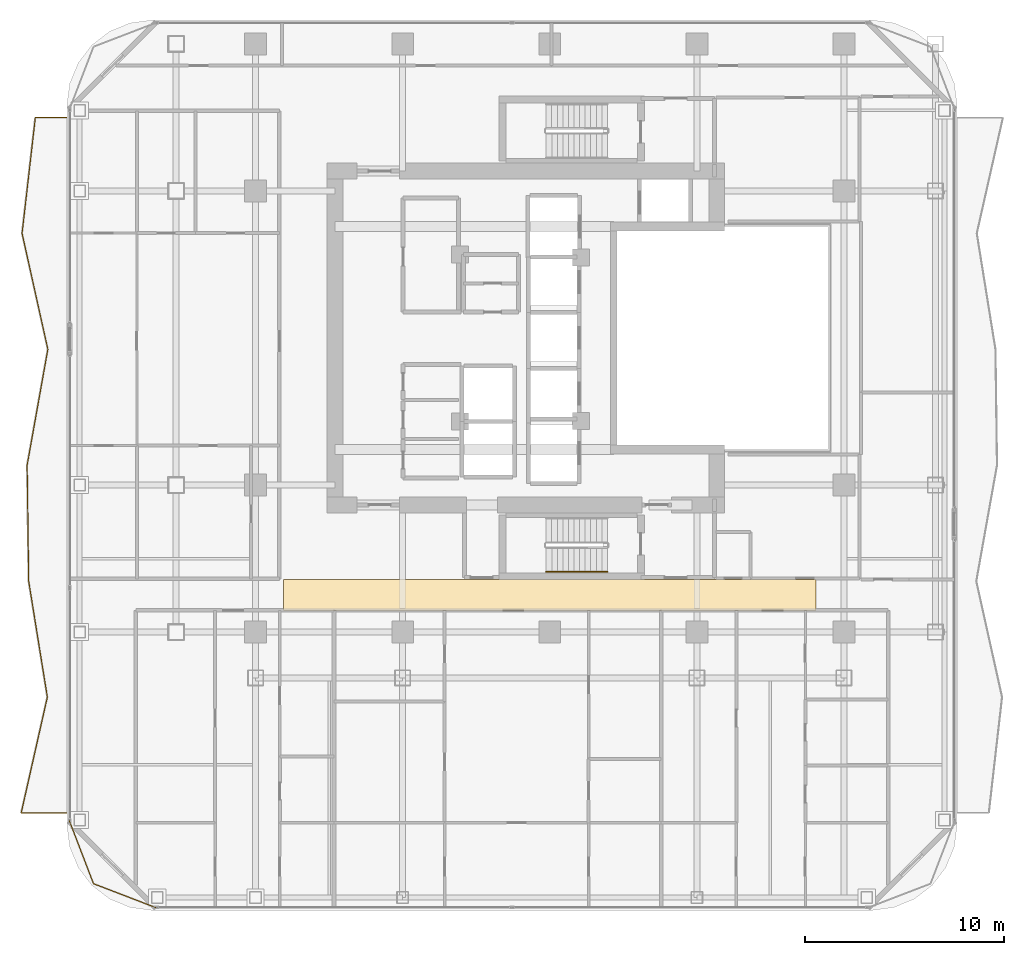
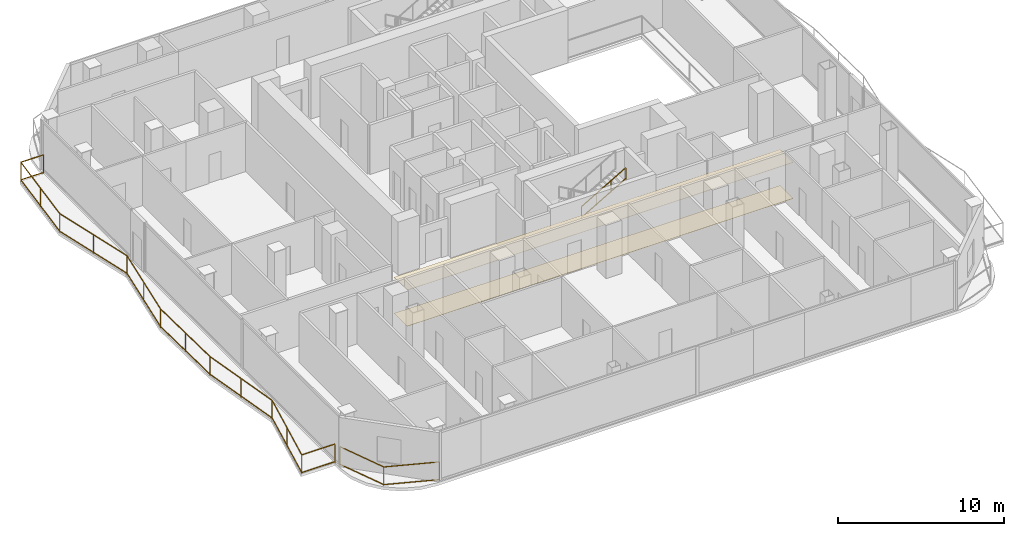
# One storey, part 22 of 24: 3 railings, 2 coverings.
"""IFC4 building model written with IfcOpenShell, lengths in metres."""

from ifc_helpers import new_model, si_unit, direction, frame, origin, origin_2d, place, context, subcontext, project, spatial, polyline, rectangle, outline, extrude, material, layer, layer_set, type_object, element, save


model = new_model("IFC4")

# Units and contexts
model_context = context("Model", 3, precision=1e-05, world=origin(), true_north=direction((0.0, 1.0)))
body_context = subcontext(model_context, "Body", "Model", "MODEL_VIEW")
ifc_project = project(units=[si_unit("LENGTHUNIT", "METRE"), si_unit("AREAUNIT", "SQUARE_METRE"), si_unit("VOLUMEUNIT", "CUBIC_METRE"), si_unit("PLANEANGLEUNIT", "RADIAN"), si_unit("MASSUNIT", "GRAM", prefix="KILO")], contexts=[model_context])

# Site, building, storey
site_placement = place(None, origin())
site = spatial("IfcSite", under=ifc_project, at=site_placement, CompositionType="ELEMENT")
building_placement = place(site_placement, origin())
building = spatial("IfcBuilding", under=site, at=building_placement, Name="Khorvyn Point Tower", CompositionType="ELEMENT")
storey_placement = place(building_placement, frame((0.0, 0.0, 215.699951171875)))
storey = spatial("IfcBuildingStorey", under=building, at=storey_placement, Name="L53", CompositionType="ELEMENT", Elevation=215.699951171875)

# Railings
ifc_material_1 = material(Name="Anodised aluminium 6063-T6 and laminated safety glass", Category="aluminium")
railing_type_1 = type_object("IfcRailingType", Name="Laminated Glass and Aluminium Balcony Guardrail 1400", PredefinedType="BALUSTRADE", material=ifc_material_1)
railing_1_placement = place(storey_placement, frame((-24.17431640625, -24.28125, 0.0)))
element("IfcRailing", 1, at=railing_1_placement, inside=storey, type_object=railing_type_1, Name="L53 Rounded Corner Edge Guardrail SW", PredefinedType="BALUSTRADE", context=body_context, shape_type="SweptSolid", body=[
    extrude(rectangle(XDim=0.048095703125, YDim=0.048095703125, at=origin_2d()), frame((0.0, 0.0, 1.3759765625), z_axis=(0.358343916815, -0.933589651443, 0.0), x_axis=(0.933589651443, 0.358343916815, 0.0)), (0.0, 0.0, 1.0), 3.400390625),
    extrude(rectangle(XDim=0.048095703125, YDim=0.048095703125, at=origin_2d()), frame((0.0, 0.0, 0.080078125), z_axis=(0.358343916815, -0.933589651443, 0.0), x_axis=(0.933589651443, 0.358343916815, 0.0)), (0.0, 0.0, 1.0), 3.400390625),
    extrude(rectangle(XDim=0.048095703125, YDim=0.048095703125, at=origin_2d()), frame((1.218505859375, -3.174560546875, 1.3759765625), z_axis=(0.933589651443, -0.358343916815, 0.0), x_axis=(0.358343916815, 0.933589651443, 0.0)), (0.0, 0.0, 1.0), 3.400390625),
    extrude(rectangle(XDim=0.048095703125, YDim=0.048095703125, at=origin_2d()), frame((1.218505859375, -3.174560546875, 0.080078125), z_axis=(0.933589651443, -0.358343916815, 0.0), x_axis=(0.358343916815, 0.933589651443, 0.0)), (0.0, 0.0, 1.0), 3.400390625),
    extrude(rectangle(XDim=0.0419921875, YDim=0.0419921875, at=origin_2d()), origin(), (0.0, 0.0, 1.0), 1.351806640625),
    extrude(rectangle(XDim=0.0419921875, YDim=0.0419921875, at=origin_2d()), frame((1.218505859375, -3.174560546875, 0.0)), (0.0, 0.0, 1.0), 1.351806640625),
    extrude(rectangle(XDim=0.0419921875, YDim=0.0419921875, at=origin_2d()), frame((4.39306640625, -4.39306640625, 0.0)), (0.0, 0.0, 1.0), 1.351806640625),
])
railing_2_placement = place(storey_placement, frame((-24.300048828125, 11.10009765625, 0.0)))
element("IfcRailing", 2, at=railing_2_placement, inside=storey, type_object=railing_type_1, Name="L53 West Balcony Guardrail", PredefinedType="BALUSTRADE", context=body_context, shape_type="SweptSolid", body=[
    extrude(rectangle(XDim=0.048095703125, YDim=0.048095703125, at=origin_2d()), frame((0.0, 0.0, 1.3759765625), z_axis=(-1.0, 0.0, 0.0), x_axis=(0.0, -1.0, 0.0)), (0.0, 0.0, 1.0), 1.58154296875),
    extrude(rectangle(XDim=0.048095703125, YDim=0.048095703125, at=origin_2d()), frame((0.0, 0.0, 0.080078125), z_axis=(-1.0, 0.0, 0.0), x_axis=(0.0, -1.0, 0.0)), (0.0, 0.0, 1.0), 1.58154296875),
    extrude(rectangle(XDim=0.048095703125, YDim=0.048095703125, at=origin_2d()), frame((-1.58154296875, 0.0, 1.3759765625), z_axis=(-0.11376236123, -0.993507989483, 0.0), x_axis=(0.993507989483, -0.11376236123, 0.0)), (0.0, 0.0, 1.0), 5.87158203125),
    extrude(rectangle(XDim=0.048095703125, YDim=0.048095703125, at=origin_2d()), frame((-1.58154296875, 0.0, 0.080078125), z_axis=(-0.11376236123, -0.993507989483, 0.0), x_axis=(0.993507989483, -0.11376236123, 0.0)), (0.0, 0.0, 1.0), 5.87158203125),
    extrude(rectangle(XDim=0.048095703125, YDim=0.048095703125, at=origin_2d()), frame((-2.24951171875, -5.83349609375, 1.3759765625), z_axis=(0.217064557501, -0.976157250589, 0.0), x_axis=(0.976157250589, 0.217064557501, 0.0)), (0.0, 0.0, 1.0), 5.975830078125),
    extrude(rectangle(XDim=0.048095703125, YDim=0.048095703125, at=origin_2d()), frame((-2.24951171875, -5.83349609375, 0.080078125), z_axis=(0.217064557501, -0.976157250589, 0.0), x_axis=(0.976157250589, 0.217064557501, 0.0)), (0.0, 0.0, 1.0), 5.975830078125),
    extrude(rectangle(XDim=0.048095703125, YDim=0.048095703125, at=origin_2d()), frame((-0.952392578125, -11.666748046875, 1.3759765625), z_axis=(-0.175966029351, -0.984396239588, 0.0), x_axis=(0.984396239588, -0.175966029351, 0.0)), (0.0, 0.0, 1.0), 5.92578125),
    extrude(rectangle(XDim=0.048095703125, YDim=0.048095703125, at=origin_2d()), frame((-0.952392578125, -11.666748046875, 0.080078125), z_axis=(-0.175966029351, -0.984396239588, 0.0), x_axis=(0.984396239588, -0.175966029351, 0.0)), (0.0, 0.0, 1.0), 5.92578125),
    extrude(rectangle(XDim=0.048095703125, YDim=0.048095703125, at=origin_2d()), frame((-1.9951171875, -17.5, 1.3759765625), z_axis=(0.013349442313, -0.999910892225, 0.0), x_axis=(0.999910892225, 0.013349442313, 0.0)), (0.0, 0.0, 1.0), 5.833984375),
    extrude(rectangle(XDim=0.048095703125, YDim=0.048095703125, at=origin_2d()), frame((-1.9951171875, -17.5, 0.080078125), z_axis=(0.013349442313, -0.999910892225, 0.0), x_axis=(0.999910892225, 0.013349442313, 0.0)), (0.0, 0.0, 1.0), 5.833984375),
    extrude(rectangle(XDim=0.048095703125, YDim=0.048095703125, at=origin_2d()), frame((-1.917236328125, -23.33349609375, 1.3759765625), z_axis=(0.159083038663, -0.987265205915, 0.0), x_axis=(0.987265205915, 0.159083038663, 0.0)), (0.0, 0.0, 1.0), 5.908447265625),
    extrude(rectangle(XDim=0.048095703125, YDim=0.048095703125, at=origin_2d()), frame((-1.917236328125, -23.33349609375, 0.080078125), z_axis=(0.159083038663, -0.987265205915, 0.0), x_axis=(0.987265205915, 0.159083038663, 0.0)), (0.0, 0.0, 1.0), 5.908447265625),
    extrude(rectangle(XDim=0.048095703125, YDim=0.048095703125, at=origin_2d()), frame((-0.977294921875, -29.166748046875, 1.3759765625), z_axis=(-0.220253353076, -0.975442699731, 0.0), x_axis=(0.975442699731, -0.220253353076, 0.0)), (0.0, 0.0, 1.0), 5.980224609375),
    extrude(rectangle(XDim=0.048095703125, YDim=0.048095703125, at=origin_2d()), frame((-0.977294921875, -29.166748046875, 0.080078125), z_axis=(-0.220253353076, -0.975442699731, 0.0), x_axis=(0.975442699731, -0.220253353076, 0.0)), (0.0, 0.0, 1.0), 5.980224609375),
    extrude(rectangle(XDim=0.048095703125, YDim=0.048095703125, at=origin_2d()), frame((-2.29443359375, -35.0, 1.3759765625), z_axis=(1.0, 0.0, 0.0), x_axis=(0.0, 1.0, 0.0)), (0.0, 0.0, 1.0), 2.29443359375),
    extrude(rectangle(XDim=0.048095703125, YDim=0.048095703125, at=origin_2d()), frame((-2.29443359375, -35.0, 0.080078125), z_axis=(1.0, 0.0, 0.0), x_axis=(0.0, 1.0, 0.0)), (0.0, 0.0, 1.0), 2.29443359375),
    extrude(rectangle(XDim=0.0419921875, YDim=0.0419921875, at=origin_2d()), origin(), (0.0, 0.0, 1.0), 1.351806640625),
    extrude(rectangle(XDim=0.0419921875, YDim=0.0419921875, at=origin_2d()), frame((-1.58154296875, 0.0, 0.0)), (0.0, 0.0, 1.0), 1.351806640625),
    extrude(rectangle(XDim=0.0419921875, YDim=0.0419921875, at=origin_2d()), frame((-1.91552734375, -2.916748046875, 0.0)), (0.0, 0.0, 1.0), 1.351806640625),
    extrude(rectangle(XDim=0.0419921875, YDim=0.0419921875, at=origin_2d()), frame((-2.24951171875, -5.83349609375, 0.0)), (0.0, 0.0, 1.0), 1.351806640625),
    extrude(rectangle(XDim=0.0419921875, YDim=0.0419921875, at=origin_2d()), frame((-1.60107421875, -8.75, 0.0)), (0.0, 0.0, 1.0), 1.351806640625),
    extrude(rectangle(XDim=0.0419921875, YDim=0.0419921875, at=origin_2d()), frame((-0.952392578125, -11.666748046875, 0.0)), (0.0, 0.0, 1.0), 1.351806640625),
    extrude(rectangle(XDim=0.0419921875, YDim=0.0419921875, at=origin_2d()), frame((-1.4736328125, -14.58349609375, 0.0)), (0.0, 0.0, 1.0), 1.351806640625),
    extrude(rectangle(XDim=0.0419921875, YDim=0.0419921875, at=origin_2d()), frame((-1.9951171875, -17.5, 0.0)), (0.0, 0.0, 1.0), 1.351806640625),
    extrude(rectangle(XDim=0.0419921875, YDim=0.0419921875, at=origin_2d()), frame((-1.9560546875, -20.416748046875, 0.0)), (0.0, 0.0, 1.0), 1.351806640625),
    extrude(rectangle(XDim=0.0419921875, YDim=0.0419921875, at=origin_2d()), frame((-1.917236328125, -23.33349609375, 0.0)), (0.0, 0.0, 1.0), 1.351806640625),
    extrude(rectangle(XDim=0.0419921875, YDim=0.0419921875, at=origin_2d()), frame((-1.447265625, -26.25, 0.0)), (0.0, 0.0, 1.0), 1.351806640625),
    extrude(rectangle(XDim=0.0419921875, YDim=0.0419921875, at=origin_2d()), frame((-0.977294921875, -29.166748046875, 0.0)), (0.0, 0.0, 1.0), 1.351806640625),
    extrude(rectangle(XDim=0.0419921875, YDim=0.0419921875, at=origin_2d()), frame((-1.6357421875, -32.08349609375, 0.0)), (0.0, 0.0, 1.0), 1.351806640625),
    extrude(rectangle(XDim=0.0419921875, YDim=0.0419921875, at=origin_2d()), frame((-2.29443359375, -35.0, 0.0)), (0.0, 0.0, 1.0), 1.351806640625),
    extrude(rectangle(XDim=0.0419921875, YDim=0.0419921875, at=origin_2d()), frame((0.0, -35.0, 0.0)), (0.0, 0.0, 1.0), 1.351806640625),
])

# Coverings
ifc_material_2 = material(Name="Mineral-fibre acoustic ceiling board", Category="gypsum")
ifc_layer_1 = layer(ifc_material_2, 0.02001953125)
ifc_layer_set_1 = layer_set([ifc_layer_1], Name="Perforated Mineral-Fibre Acoustic Suspended Ceiling 20")
covering_type_1 = type_object("IfcCoveringType", Name="Perforated Mineral-Fibre Acoustic Suspended Ceiling 20", PredefinedType="CEILING", material=ifc_layer_set_1)
covering_1_placement = place(storey_placement, frame((0.0, 0.0, 2.64013671875)))
element("IfcCovering", 3, at=covering_1_placement, inside=storey, type_object=covering_type_1, Name="L53 South Corridor Acoustic Ceiling", PredefinedType="CEILING", context=body_context, shape_type="SweptSolid", body=[
    extrude(outline(polyline([(-13.39990234375, -13.7099609375), (13.39990234375, -13.7099609375), (13.39990234375, -12.139892578125), (-13.39990234375, -12.139892578125), (-13.39990234375, -13.7099609375)])), origin(), (0.0, 0.0, 1.0), 0.02001953125),
])
ifc_material_3 = material(Name="Vitrified porcelain terrazzo tile", Category="ceramic")
ifc_layer_2 = layer(ifc_material_3, 0.01806640625)
ifc_layer_set_2 = layer_set([ifc_layer_2], Name="Porcelain Terrazzo Corridor Floor Finish Tile 18")
covering_type_2 = type_object("IfcCoveringType", Name="Porcelain Terrazzo Corridor Floor Finish Tile 18", PredefinedType="FLOORING", material=ifc_layer_set_2)
covering_2_placement = place(storey_placement, origin())
element("IfcCovering", 4, at=covering_2_placement, inside=storey, type_object=covering_type_2, Name="L53 South Corridor Terrazzo Flooring", PredefinedType="FLOORING", context=body_context, shape_type="SweptSolid", body=[
    extrude(outline(polyline([(-13.39990234375, -13.7099609375), (13.39990234375, -13.7099609375), (13.39990234375, -12.139892578125), (-13.39990234375, -12.139892578125), (-13.39990234375, -13.7099609375)])), origin(), (0.0, 0.0, 1.0), 0.01806640625),
])

# Railing
ifc_material_4 = material(Name="Stainless steel 1.4301", Category="steel")
railing_type_2 = type_object("IfcRailingType", Name="Stainless Steel 304 Stair Pitch Handrail 900", PredefinedType="HANDRAIL", material=ifc_material_4)
railing_3_placement = place(storey_placement, frame((-0.179931640625, -11.77001953125, 2.112548828125)))
element("IfcRailing", 5, at=railing_3_placement, inside=storey, type_object=railing_type_2, Name="L53 ST-01 stair handrail 2", PredefinedType="HANDRAIL", context=body_context, shape_type="SweptSolid", body=[
    extrude(rectangle(XDim=0.048095703125, YDim=0.048095703125, at=origin_2d()), frame((0.0, 0.0, 0.8759765625), z_axis=(0.864873446163, 0.0, 0.501989962173), x_axis=(0.0, 1.0, 0.0)), (0.0, 0.0, 1.0), 3.56103515625),
    extrude(rectangle(XDim=0.048095703125, YDim=0.048095703125, at=origin_2d()), frame((0.0, 0.0, 0.080078125), z_axis=(0.864873446163, 0.0, 0.501989962173), x_axis=(0.0, 1.0, 0.0)), (0.0, 0.0, 1.0), 3.56103515625),
    extrude(rectangle(XDim=0.0419921875, YDim=0.0419921875, at=origin_2d()), origin(), (0.0, 0.0, 1.0), 0.851806640625),
    extrude(rectangle(XDim=0.0419921875, YDim=0.0419921875, at=origin_2d()), frame((1.026611328125, 0.0, 0.595947265625)), (0.0, 0.0, 1.0), 0.851806640625),
    extrude(rectangle(XDim=0.0419921875, YDim=0.0419921875, at=origin_2d()), frame((2.05322265625, 0.0, 1.191650390625)), (0.0, 0.0, 1.0), 0.851806640625),
    extrude(rectangle(XDim=0.0419921875, YDim=0.0419921875, at=origin_2d()), frame((3.079833984375, 0.0, 1.78759765625)), (0.0, 0.0, 1.0), 0.851806640625),
])

save(model, "model.ifc")
